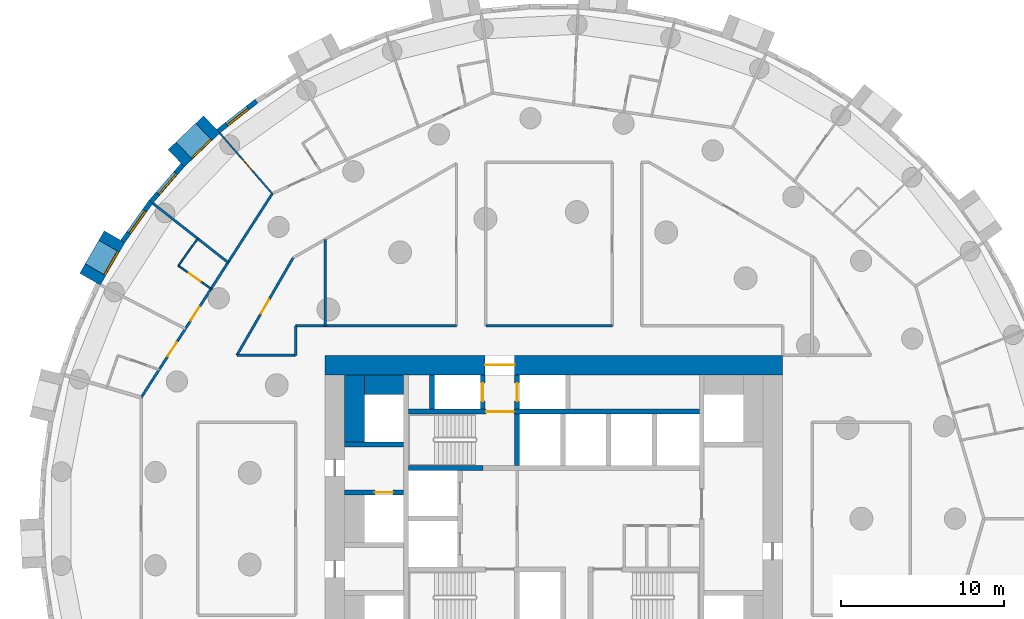
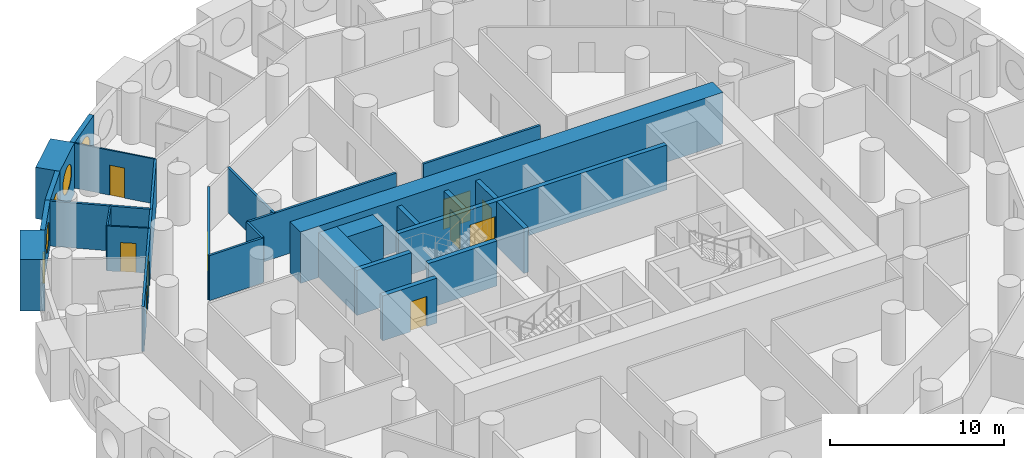
# One storey, part 7 of 12: 27 walls, 10 doors, 5 windows, 15 openings.
"""IFC4 building model written with IfcOpenShell, lengths in metres."""

from ifc_helpers import new_model, si_unit, direction, frame, frame_2d, origin, origin_2d, place, context, subcontext, project, spatial, rectangle, circle, extrude, material, layer, layer_set, type_object, element, fill, save


model = new_model("IFC4")

# Units and contexts
model_context = context("Model", 3, precision=1e-05, world=origin(), true_north=direction((0.0, 1.0)))
body_context = subcontext(model_context, "Body", "Model", "MODEL_VIEW")
ifc_project = project(units=[si_unit("LENGTHUNIT", "METRE"), si_unit("AREAUNIT", "SQUARE_METRE"), si_unit("VOLUMEUNIT", "CUBIC_METRE"), si_unit("PLANEANGLEUNIT", "RADIAN"), si_unit("MASSUNIT", "GRAM", prefix="KILO")], contexts=[model_context])

# Site, building, storey
site_placement = place(None, origin())
site = spatial("IfcSite", under=ifc_project, at=site_placement, CompositionType="ELEMENT")
building_placement = place(site_placement, origin())
building = spatial("IfcBuilding", under=site, at=building_placement, Name="Tracery Tower", CompositionType="ELEMENT")
storey_placement = place(building_placement, frame((0.0, 0.0, 89.39990234375)))
storey = spatial("IfcBuildingStorey", under=building, at=storey_placement, Name="L22", CompositionType="ELEMENT", Elevation=89.39990234375)

# Walls
ifc_material_1 = material(Name="Concrete C60/75", Category="concrete")
ifc_layer_1 = layer(ifc_material_1, 1.199951171875)
ifc_layer_set_1 = layer_set([ifc_layer_1], Name="Core strip wall 1200 C60")
wall_type_1 = type_object("IfcWallType", Name="Core strip wall 1200 C60", PredefinedType="SOLIDWALL", material=ifc_layer_set_1)
wall_1_placement = place(storey_placement, frame((-12.199951171875, 4.699951171875, 0.0), z_axis=(0.0, 0.0, 1.0), x_axis=(0.0, 1.0, 0.0)))
element("IfcWall", 1, at=wall_1_placement, inside=storey, type_object=wall_type_1, Name="L22 wing strip -1 4.55", PredefinedType="SOLIDWALL", context=body_context, shape_type="SweptSolid", body=[
    extrude(rectangle(XDim=4.10009765625, YDim=1.199951171875, at=frame_2d((2.050048828125, 0.0))), origin(), (0.0, 0.0, 1.0), 3.150146484375),
])
wall_2_placement = place(storey_placement, frame((-11.60009765625, 8.199951171875, 0.0), z_axis=(0.0, 0.0, 1.0), x_axis=(1.0, 0.0, 0.0)))
element("IfcWall", 2, at=wall_2_placement, inside=storey, type_object=wall_type_1, Name="L22 wing corner -1 +8.2", PredefinedType="SOLIDWALL", context=body_context, shape_type="SweptSolid", body=[
    extrude(rectangle(XDim=2.400146484375, YDim=1.199951171875, at=frame_2d((1.2001953125, 0.0))), origin(), (0.0, 0.0, 1.0), 3.150146484375),
])

# Wall, opening, door
ifc_material_2 = material(Name="Concrete C60/75", Category="concrete")
ifc_layer_2 = layer(ifc_material_2, 1.199951171875)
ifc_layer_set_2 = layer_set([ifc_layer_2], Name="Core wall 1200 C60")
wall_type_2 = type_object("IfcWallType", Name="Core wall 1200 C60", PredefinedType="SOLIDWALL", material=ifc_layer_set_2)
wall_3_placement = place(storey_placement, frame((-14.0, 9.39990234375, 0.0), z_axis=(0.0, 0.0, 1.0), x_axis=(1.0, 0.0, 0.0)))
wall_3 = element("IfcWall", 3, at=wall_3_placement, inside=storey, type_object=wall_type_2, Name="L22 outer N", PredefinedType="SOLIDWALL", context=body_context, shape_type="SweptSolid", body=[
    extrude(rectangle(XDim=28.0, YDim=1.199951171875, at=frame_2d((14.0, 0.0))), origin(), (0.0, 0.0, 1.0), 3.60009765625),
])
opening_1_placement = place(wall_3_placement, frame((9.800048828125, 0.0, 0.0)))
opening_1 = element("IfcOpeningElement", 4, at=opening_1_placement, cuts=wall_3, Name="Opening KD13", PredefinedType="OPENING", context=body_context, shape_type="SweptSolid", body=[
    extrude(rectangle(XDim=1.800048828125, YDim=2.10009765625, at=frame_2d((0.89990234375, 1.050048828125))), frame((0.0, 0.60009765625, 0.0), z_axis=(0.0, -1.0, 0.0), x_axis=(1.0, 0.0, 0.0)), (0.0, 0.0, 1.0), 1.199951171875),
])
ifc_material_3 = material(Name="Steel fire door", Category="steel")
door_type_1 = type_object("IfcDoorType", Name="Core exit door 1800 double", OperationType="NOTDEFINED", PredefinedType="DOOR", material=ifc_material_3)
door_1_placement = place(opening_1_placement, origin())
door_1 = element("IfcDoor", 5, at=door_1_placement, inside=storey, type_object=door_type_1, Name="Core exit door", OperationType="DOUBLE_DOOR_SINGLE_SWING", OverallHeight=2.10009765625, OverallWidth=1.800048828125, PredefinedType="DOOR", context=body_context, shape_type="SweptSolid", body=[
    extrude(rectangle(XDim=1.800048828125, YDim=2.10009765625, at=frame_2d((0.89990234375, 1.050048828125))), frame((0.0, 0.02490234375, 0.0), z_axis=(0.0, -1.0, 0.0), x_axis=(1.0, 0.0, 0.0)), (0.0, 0.0, 1.0), 0.050048828125),
])
fill(opening_1, door_1)

# Wall, opening, window
ifc_material_4 = material(Name="Precast concrete C50/60", Category="concrete")
ifc_layer_3 = layer(ifc_material_4, 1.449951171875)
ifc_layer_set_3 = layer_set([ifc_layer_3], Name="Deep-set bay unit 3000 x 3600, slab edge 450")
wall_type_3 = type_object("IfcWallType", Name="Deep-set bay unit 3000 x 3600, slab edge 450", PredefinedType="ELEMENTEDWALL", material=ifc_layer_set_3)
wall_4_placement = place(storey_placement, frame((-20.9375, 24.13232421875, -0.449951171875), z_axis=(0.0, 0.0, 1.0), x_axis=(-0.723712023899, -0.690102098579, 0.0)))
wall_4 = element("IfcWall", 6, at=wall_4_placement, inside=storey, type_object=wall_type_3, Name="Deep-set bay unit 25 at L22", PredefinedType="ELEMENTEDWALL", context=body_context, shape_type="SweptSolid", body=[
    extrude(rectangle(XDim=3.0, YDim=1.449951171875, at=frame_2d((1.5, 0.0))), origin(), (0.0, 0.0, 1.0), 3.60009765625),
])
opening_2_placement = place(wall_4_placement, frame((1.5, 0.0, 2.0)))
opening_2 = element("IfcOpeningElement", 7, at=opening_2_placement, cuts=wall_4, Name="Opening WN1", PredefinedType="OPENING", context=body_context, shape_type="SweptSolid", body=[
    extrude(circle(Radius=0.9000244140625, at=origin_2d()), frame((0.0, 0.73486328125, 0.0), z_axis=(0.0, -1.0, 0.0), x_axis=(1.0, 0.0, 0.0)), (0.0, 0.0, 1.0), 1.469970703125),
])
ifc_material_5 = material(Name="Aluminium frame with tinted double glazing", Category="aluminium")
window_type = type_object("IfcWindowType", Name="Round window 1800", PartitioningType="SINGLE_PANEL", PredefinedType="WINDOW", material=ifc_material_5)
window_1_placement = place(opening_2_placement, origin())
window_1 = element("IfcWindow", 8, at=window_1_placement, inside=storey, type_object=window_type, Name="Round window 25 at L22", OverallHeight=1.800048828125, OverallWidth=1.800048828125, PartitioningType="SINGLE_PANEL", PredefinedType="WINDOW", context=body_context, shape_type="SweptSolid", body=[
    extrude(circle(Radius=0.9000244140625, at=origin_2d()), frame((0.0, 0.69482421875, 0.0), z_axis=(0.0, -1.0, 0.0), x_axis=(1.0, 0.0, 0.0)), (0.0, 0.0, 1.0), 0.10009765625),
])
fill(opening_2, window_1)

wall_5_placement = place(storey_placement, frame((-26.88818359375, 17.256103515625, -0.449951171875), z_axis=(0.0, 0.0, 1.0), x_axis=(-0.499990139034, -0.866031096941, 0.0)))
wall_5 = element("IfcWall", 9, at=wall_5_placement, inside=storey, type_object=wall_type_3, Name="Deep-set bay unit 28 at L22", PredefinedType="ELEMENTEDWALL", context=body_context, shape_type="SweptSolid", body=[
    extrude(rectangle(XDim=3.0, YDim=1.449951171875, at=frame_2d((1.5, 0.0))), origin(), (0.0, 0.0, 1.0), 3.60009765625),
])
opening_3_placement = place(wall_5_placement, frame((1.5, 0.0, 2.0)))
opening_3 = element("IfcOpeningElement", 10, at=opening_3_placement, cuts=wall_5, Name="Opening WN1", PredefinedType="OPENING", context=body_context, shape_type="SweptSolid", body=[
    extrude(circle(Radius=0.9000244140625, at=origin_2d()), frame((0.0, 0.73486328125, 0.0), z_axis=(0.0, -1.0, 0.0), x_axis=(1.0, 0.0, 0.0)), (0.0, 0.0, 1.0), 1.469970703125),
])
window_2_placement = place(opening_3_placement, origin())
window_2 = element("IfcWindow", 11, at=window_2_placement, inside=storey, type_object=window_type, Name="Round window 28 at L22", OverallHeight=1.800048828125, OverallWidth=1.800048828125, PartitioningType="SINGLE_PANEL", PredefinedType="WINDOW", context=body_context, shape_type="SweptSolid", body=[
    extrude(circle(Radius=0.9000244140625, at=origin_2d()), frame((0.0, 0.69482421875, 0.0), z_axis=(0.0, -1.0, 0.0), x_axis=(1.0, 0.0, 0.0)), (0.0, 0.0, 1.0), 0.10009765625),
])
fill(opening_3, window_2)

ifc_material_6 = material(Name="Precast concrete C50/60", Category="concrete")
ifc_layer_4 = layer(ifc_material_6, 0.300048828125)
ifc_layer_set_4 = layer_set([ifc_layer_4], Name="Facade panel 3000 x 3150")
wall_type_4 = type_object("IfcWallType", Name="Facade panel 3000 x 3150", PredefinedType="SOLIDWALL", material=ifc_layer_set_4)
wall_6_placement = place(storey_placement, frame((-18.198974609375, 25.556884765625, 0.0), z_axis=(0.0, 0.0, 1.0), x_axis=(-0.786053834673, -0.618158045322, 0.0)))
wall_6 = element("IfcWall", 12, at=wall_6_placement, inside=storey, type_object=wall_type_4, Name="Facade panel 24 at L22", PredefinedType="SOLIDWALL", context=body_context, shape_type="SweptSolid", body=[
    extrude(rectangle(XDim=2.9794921875, YDim=0.300048828125, at=frame_2d((1.48974609375, 0.0))), origin(), (0.0, 0.0, 1.0), 3.150146484375),
])
opening_4_placement = place(wall_6_placement, frame((1.48974609375, 0.0, 1.5498046875)))
opening_4 = element("IfcOpeningElement", 13, at=opening_4_placement, cuts=wall_6, Name="Opening WN1", PredefinedType="OPENING", context=body_context, shape_type="SweptSolid", body=[
    extrude(circle(Radius=0.9000244140625, at=origin_2d()), frame((0.0, 0.159912109375, 0.0), z_axis=(0.0, -1.0, 0.0), x_axis=(1.0, 0.0, 0.0)), (0.0, 0.0, 1.0), 0.320068359375),
])
window_3_placement = place(opening_4_placement, origin())
window_3 = element("IfcWindow", 14, at=window_3_placement, inside=storey, type_object=window_type, Name="Round window 24 at L22", OverallHeight=1.800048828125, OverallWidth=1.800048828125, PartitioningType="SINGLE_PANEL", PredefinedType="WINDOW", context=body_context, shape_type="SweptSolid", body=[
    extrude(circle(Radius=0.9000244140625, at=origin_2d()), frame((0.0, 0.1201171875, 0.0), z_axis=(0.0, -1.0, 0.0), x_axis=(1.0, 0.0, 0.0)), (0.0, 0.0, 1.0), 0.10009765625),
])
fill(opening_4, window_3)

wall_7_placement = place(storey_placement, frame((-22.710693359375, 21.646240234375, 0.0), z_axis=(0.0, 0.0, 1.0), x_axis=(-0.654830712471, -0.755775587066, 0.0)))
wall_7 = element("IfcWall", 15, at=wall_7_placement, inside=storey, type_object=wall_type_4, Name="Facade panel 26 at L22", PredefinedType="SOLIDWALL", context=body_context, shape_type="SweptSolid", body=[
    extrude(rectangle(XDim=2.979736328125, YDim=0.300048828125, at=frame_2d((1.48974609375, 0.0))), origin(), (0.0, 0.0, 1.0), 3.150146484375),
])
opening_5_placement = place(wall_7_placement, frame((1.48974609375, 0.0, 1.5498046875)))
opening_5 = element("IfcOpeningElement", 16, at=opening_5_placement, cuts=wall_7, Name="Opening WN1", PredefinedType="OPENING", context=body_context, shape_type="SweptSolid", body=[
    extrude(circle(Radius=0.9000244140625, at=origin_2d()), frame((0.0, 0.159912109375, 0.0), z_axis=(0.0, -1.0, 0.0), x_axis=(1.0, 0.0, 0.0)), (0.0, 0.0, 1.0), 0.320068359375),
])
window_4_placement = place(opening_5_placement, origin())
window_4 = element("IfcWindow", 17, at=window_4_placement, inside=storey, type_object=window_type, Name="Round window 26 at L22", OverallHeight=1.800048828125, OverallWidth=1.800048828125, PartitioningType="SINGLE_PANEL", PredefinedType="WINDOW", context=body_context, shape_type="SweptSolid", body=[
    extrude(circle(Radius=0.9000244140625, at=origin_2d()), frame((0.0, 0.1201171875, 0.0), z_axis=(0.0, -1.0, 0.0), x_axis=(1.0, 0.0, 0.0)), (0.0, 0.0, 1.0), 0.10009765625),
])
fill(opening_5, window_4)

wall_8_placement = place(storey_placement, frame((-24.661865234375, 19.394287109375, 0.0), z_axis=(0.0, 0.0, 1.0), x_axis=(-0.580113774115, -0.814535456, 0.0)))
wall_8 = element("IfcWall", 18, at=wall_8_placement, inside=storey, type_object=wall_type_4, Name="Facade panel 27 at L22", PredefinedType="SOLIDWALL", context=body_context, shape_type="SweptSolid", body=[
    extrude(rectangle(XDim=2.979736328125, YDim=0.300048828125, at=frame_2d((1.48974609375, 0.0))), origin(), (0.0, 0.0, 1.0), 3.150146484375),
])
opening_6_placement = place(wall_8_placement, frame((1.48974609375, 0.0, 1.5498046875)))
opening_6 = element("IfcOpeningElement", 19, at=opening_6_placement, cuts=wall_8, Name="Opening WN1", PredefinedType="OPENING", context=body_context, shape_type="SweptSolid", body=[
    extrude(circle(Radius=0.9000244140625, at=origin_2d()), frame((0.0, 0.159912109375, 0.0), z_axis=(0.0, -1.0, 0.0), x_axis=(1.0, 0.0, 0.0)), (0.0, 0.0, 1.0), 0.320068359375),
])
window_5_placement = place(opening_6_placement, origin())
window_5 = element("IfcWindow", 20, at=window_5_placement, inside=storey, type_object=window_type, Name="Round window 27 at L22", OverallHeight=1.800048828125, OverallWidth=1.800048828125, PartitioningType="SINGLE_PANEL", PredefinedType="WINDOW", context=body_context, shape_type="SweptSolid", body=[
    extrude(circle(Radius=0.9000244140625, at=origin_2d()), frame((0.0, 0.1201171875, 0.0), z_axis=(0.0, -1.0, 0.0), x_axis=(1.0, 0.0, 0.0)), (0.0, 0.0, 1.0), 0.10009765625),
])
fill(opening_6, window_5)

# Wall, opening, door
ifc_material_7 = material(Name="Plasterboard on steel studs", Category="steel")
ifc_layer_5 = layer(ifc_material_7, 0.10009765625)
ifc_layer_set_5 = layer_set([ifc_layer_5], Name="Partition 100 stud")
wall_type_5 = type_object("IfcWallType", Name="Partition 100 stud", PredefinedType="PARTITIONING", material=ifc_layer_set_5)
wall_9_placement = place(storey_placement, frame((-20.447998046875, 23.597900390625, 0.0), z_axis=(0.0, 0.0, 1.0), x_axis=(0.654847179409, -0.755761319214, 0.0)))
wall_9 = element("IfcWall", 21, at=wall_9_placement, inside=storey, type_object=wall_type_5, Name="Stud partition RA6-081", PredefinedType="PARTITIONING", context=body_context, shape_type="SweptSolid", body=[
    extrude(rectangle(XDim=4.90625, YDim=0.10009765625, at=frame_2d((2.453125, 0.0))), origin(), (0.0, 0.0, 1.0), 3.150146484375),
])
opening_7_placement = place(wall_9_placement, frame((2.1533203125, 0.0, 0.0)))
opening_7 = element("IfcOpeningElement", 22, at=opening_7_placement, cuts=wall_9, Name="Opening RA6-28", PredefinedType="OPENING", context=body_context, shape_type="SweptSolid", body=[
    extrude(rectangle(XDim=0.89990234375, YDim=2.10009765625, at=frame_2d((0.449951171875, 1.050048828125))), frame((0.0, 0.050048828125, 0.0), z_axis=(0.0, -1.0, 0.0), x_axis=(1.0, 0.0, 0.0)), (0.0, 0.0, 1.0), 0.10009765625),
])
ifc_material_8 = material(Name="Timber door leaf", Category="wood")
door_type_2 = type_object("IfcDoorType", Name="Door bedroom 900", OperationType="NOTDEFINED", PredefinedType="DOOR", material=ifc_material_8)
door_2_placement = place(opening_7_placement, origin())
door_2 = element("IfcDoor", 23, at=door_2_placement, inside=storey, type_object=door_type_2, Name="Bedroom door RA6-28", OperationType="SINGLE_SWING_LEFT", OverallHeight=2.10009765625, OverallWidth=0.89990234375, PredefinedType="DOOR", context=body_context, shape_type="SweptSolid", body=[
    extrude(rectangle(XDim=0.89990234375, YDim=2.10009765625, at=frame_2d((0.449951171875, 1.050048828125))), frame((0.0, 0.02490234375, 0.0), z_axis=(0.0, -1.0, 0.0), x_axis=(1.0, 0.0, 0.0)), (0.0, 0.0, 1.0), 0.050048828125),
])
fill(opening_7, door_2)

# Wall
ifc_material_9 = material(Name="Plasterboard on steel studs", Category="steel")
ifc_layer_6 = layer(ifc_material_9, 0.10009765625)
ifc_layer_set_6 = layer_set([ifc_layer_6], Name="Partition 100 wet wall")
wall_type_6 = type_object("IfcWallType", Name="Partition 100 wet wall", PredefinedType="PARTITIONING", material=ifc_layer_set_6)
wall_10_placement = place(storey_placement, frame((-22.97802734375, 15.486083984375, 0.0), z_axis=(0.0, 0.0, 1.0), x_axis=(0.580283748447, 0.814414373208, 0.0)))
element("IfcWall", 24, at=wall_10_placement, inside=storey, type_object=wall_type_6, Name="Wet wall RA6-085", PredefinedType="PARTITIONING", context=body_context, shape_type="SweptSolid", body=[
    extrude(rectangle(XDim=2.033447265625, YDim=0.10009765625, at=frame_2d((1.0166015625, 0.0))), origin(), (0.0, 0.0, 1.0), 3.150146484375),
])

# Wall, opening, door
wall_11_placement = place(storey_placement, frame((-22.97802734375, 15.486083984375, 0.0), z_axis=(0.0, 0.0, 1.0), x_axis=(0.814519517834, -0.580136152181, 0.0)))
wall_11 = element("IfcWall", 25, at=wall_11_placement, inside=storey, type_object=wall_type_6, Name="Wet wall RA6-086", PredefinedType="PARTITIONING", context=body_context, shape_type="SweptSolid", body=[
    extrude(rectangle(XDim=2.453125, YDim=0.10009765625, at=frame_2d((1.2265625, 0.0))), origin(), (0.0, 0.0, 1.0), 3.150146484375),
])
opening_8_placement = place(wall_11_placement, frame((0.77587890625, 0.0, 0.0)))
opening_8 = element("IfcOpeningElement", 26, at=opening_8_placement, cuts=wall_11, Name="Opening RA6-31", PredefinedType="OPENING", context=body_context, shape_type="SweptSolid", body=[
    extrude(rectangle(XDim=0.89990234375, YDim=2.0400390625, at=frame_2d((0.449951171875, 1.02001953125))), frame((0.0, 0.050048828125, 0.0), z_axis=(0.0, -1.0, 0.0), x_axis=(1.0, 0.0, 0.0)), (0.0, 0.0, 1.0), 0.10009765625),
])
ifc_material_10 = material(Name="Timber door leaf", Category="wood")
door_type_3 = type_object("IfcDoorType", Name="Door en-suite 900", OperationType="NOTDEFINED", PredefinedType="DOOR", material=ifc_material_10)
door_3_placement = place(opening_8_placement, origin())
door_3 = element("IfcDoor", 27, at=door_3_placement, inside=storey, type_object=door_type_3, Name="En-suite door RA6-31", OperationType="SINGLE_SWING_LEFT", OverallHeight=2.0400390625, OverallWidth=0.89990234375, PredefinedType="DOOR", context=body_context, shape_type="SweptSolid", body=[
    extrude(rectangle(XDim=0.89990234375, YDim=2.0400390625, at=frame_2d((0.449951171875, 1.02001953125))), frame((0.0, 0.02490234375, 0.0), z_axis=(0.0, -1.0, 0.0), x_axis=(1.0, 0.0, 0.0)), (0.0, 0.0, 1.0), 0.050048828125),
])
fill(opening_8, door_3)

# Walls
ifc_material_11 = material(Name="Plasterboard on steel studs", Category="steel")
ifc_layer_7 = layer(ifc_material_11, 0.14990234375)
ifc_layer_set_7 = layer_set([ifc_layer_7], Name="Partition 150 acoustic unit wall")
wall_type_7 = type_object("IfcWallType", Name="Partition 150 acoustic unit wall", PredefinedType="PARTITIONING", material=ifc_layer_set_7)
wall_12_placement = place(storey_placement, frame((-14.0, 11.800048828125, 0.0), z_axis=(0.0, 0.0, 1.0), x_axis=(0.0, 1.0, 0.0)))
element("IfcWall", 28, at=wall_12_placement, inside=storey, type_object=wall_type_7, Name="Unit wall RA6-054", PredefinedType="PARTITIONING", context=body_context, shape_type="SweptSolid", body=[
    extrude(rectangle(XDim=5.2919921875, YDim=0.14990234375, at=frame_2d((2.64599609375, 0.0))), origin(), (0.0, 0.0, 1.0), 3.150146484375),
])
wall_13_placement = place(storey_placement, frame((-24.5439453125, 19.302001953125, 0.0), z_axis=(0.0, 0.0, 1.0), x_axis=(0.786034767432, -0.618182290581, 0.0)))
element("IfcWall", 29, at=wall_13_placement, inside=storey, type_object=wall_type_7, Name="Unit wall RA6-084", PredefinedType="PARTITIONING", context=body_context, shape_type="SweptSolid", body=[
    extrude(rectangle(XDim=5.857177734375, YDim=0.14990234375, at=frame_2d((2.9287109375, 0.0))), origin(), (0.0, 0.0, 1.0), 3.150146484375),
])
ifc_material_12 = material(Name="Plasterboard on steel studs", Category="steel")
ifc_layer_8 = layer(ifc_material_12, 0.14990234375)
ifc_layer_set_8 = layer_set([ifc_layer_8], Name="Partition 150 corridor wall")
wall_type_8 = type_object("IfcWallType", Name="Partition 150 corridor wall", PredefinedType="PARTITIONING", material=ifc_layer_set_8)
wall_14_placement = place(storey_placement, frame((-15.800048828125, 11.800048828125, 0.0), z_axis=(0.0, 0.0, 1.0), x_axis=(1.0, 0.0, 0.0)))
element("IfcWall", 30, at=wall_14_placement, inside=storey, type_object=wall_type_8, Name="Corridor wall RA6-001", PredefinedType="PARTITIONING", context=body_context, shape_type="SweptSolid", body=[
    extrude(rectangle(XDim=9.843994140625, YDim=0.14990234375, at=frame_2d((4.921875, 0.0))), origin(), (0.0, 0.0, 1.0), 3.150146484375),
])
wall_15_placement = place(storey_placement, frame((-4.1640625, 11.800048828125, 0.0), z_axis=(0.0, 0.0, 1.0), x_axis=(1.0, 0.0, 0.0)))
element("IfcWall", 31, at=wall_15_placement, inside=storey, type_object=wall_type_8, Name="Corridor wall RA6-002", PredefinedType="PARTITIONING", context=body_context, shape_type="SweptSolid", body=[
    extrude(rectangle(XDim=7.744140625, YDim=0.14990234375, at=frame_2d((3.8720703125, 0.0))), origin(), (0.0, 0.0, 1.0), 3.150146484375),
])
wall_16_placement = place(storey_placement, frame((-15.800048828125, 10.0, 0.0), z_axis=(0.0, 0.0, 1.0), x_axis=(0.0, 1.0, 0.0)))
element("IfcWall", 32, at=wall_16_placement, inside=storey, type_object=wall_type_8, Name="Corridor wall RA6-005", PredefinedType="PARTITIONING", context=body_context, shape_type="SweptSolid", body=[
    extrude(rectangle(XDim=1.800048828125, YDim=0.14990234375, at=frame_2d((0.89990234375, 0.0))), origin(), (0.0, 0.0, 1.0), 3.150146484375),
])

# Wall, openings, doors
wall_17_placement = place(storey_placement, frame((-25.2548828125, 7.416259765625, 0.0), z_axis=(0.0, 0.0, 1.0), x_axis=(0.540805851332, 0.841147449123, 0.0)))
wall_17 = element("IfcWall", 33, at=wall_17_placement, inside=storey, type_object=wall_type_8, Name="Corridor wall RA6-034", PredefinedType="PARTITIONING", context=body_context, shape_type="SweptSolid", body=[
    extrude(rectangle(XDim=14.829345703125, YDim=0.14990234375, at=frame_2d((7.41455078125, 0.0))), origin(), (0.0, 0.0, 1.0), 3.150146484375),
])
opening_9_placement = place(wall_17_placement, frame((5.602783203125, 0.0, 0.0)))
opening_9 = element("IfcOpeningElement", 34, at=opening_9_placement, cuts=wall_17, Name="Opening RA6-32", PredefinedType="OPENING", context=body_context, shape_type="SweptSolid", body=[
    extrude(rectangle(XDim=1.0, YDim=2.10009765625, at=frame_2d((0.5, 1.050048828125))), frame((0.0, 0.074951171875, 0.0), z_axis=(0.0, -1.0, 0.0), x_axis=(1.0, 0.0, 0.0)), (0.0, 0.0, 1.0), 0.14990234375),
])
opening_10_placement = place(wall_17_placement, frame((3.0126953125, 0.0, 0.0)))
opening_10 = element("IfcOpeningElement", 35, at=opening_10_placement, cuts=wall_17, Name="Opening RA6-34", PredefinedType="OPENING", context=body_context, shape_type="SweptSolid", body=[
    extrude(rectangle(XDim=1.0, YDim=2.10009765625, at=frame_2d((0.5, 1.050048828125))), frame((0.0, 0.074951171875, 0.0), z_axis=(0.0, -1.0, 0.0), x_axis=(1.0, 0.0, 0.0)), (0.0, 0.0, 1.0), 0.14990234375),
])
ifc_material_13 = material(Name="Timber door leaf", Category="wood")
door_type_4 = type_object("IfcDoorType", Name="Door unit entrance 1000", OperationType="NOTDEFINED", PredefinedType="DOOR", material=ifc_material_13)
door_4_placement = place(opening_9_placement, origin())
door_4 = element("IfcDoor", 36, at=door_4_placement, inside=storey, type_object=door_type_4, Name="Unit entrance door RA6-32", OperationType="SINGLE_SWING_LEFT", OverallHeight=2.10009765625, OverallWidth=1.0, PredefinedType="DOOR", context=body_context, shape_type="SweptSolid", body=[
    extrude(rectangle(XDim=1.0, YDim=2.10009765625, at=frame_2d((0.5, 1.050048828125))), frame((0.0, 0.02490234375, 0.0), z_axis=(0.0, -1.0, 0.0), x_axis=(1.0, 0.0, 0.0)), (0.0, 0.0, 1.0), 0.050048828125),
])
fill(opening_9, door_4)
door_5_placement = place(opening_10_placement, origin())
door_5 = element("IfcDoor", 37, at=door_5_placement, inside=storey, type_object=door_type_4, Name="Unit entrance door RA6-34", OperationType="SINGLE_SWING_LEFT", OverallHeight=2.10009765625, OverallWidth=1.0, PredefinedType="DOOR", context=body_context, shape_type="SweptSolid", body=[
    extrude(rectangle(XDim=1.0, YDim=2.10009765625, at=frame_2d((0.5, 1.050048828125))), frame((0.0, 0.02490234375, 0.0), z_axis=(0.0, -1.0, 0.0), x_axis=(1.0, 0.0, 0.0)), (0.0, 0.0, 1.0), 0.050048828125),
])
fill(opening_10, door_5)

# Wall, opening, door
wall_18_placement = place(storey_placement, frame((-19.40087890625, 10.0, 0.0), z_axis=(0.0, 0.0, 1.0), x_axis=(0.499992689227, 0.86602962462, 0.0)))
wall_18 = element("IfcWall", 38, at=wall_18_placement, inside=storey, type_object=wall_type_8, Name="Corridor wall RA6-040", PredefinedType="PARTITIONING", context=body_context, shape_type="SweptSolid", body=[
    extrude(rectangle(XDim=6.8818359375, YDim=0.14990234375, at=frame_2d((3.44091796875, 0.0))), origin(), (0.0, 0.0, 1.0), 3.150146484375),
])
opening_11_placement = place(wall_18_placement, frame((2.94091796875, 0.0, 0.0)))
opening_11 = element("IfcOpeningElement", 39, at=opening_11_placement, cuts=wall_18, Name="Opening RA6-11", PredefinedType="OPENING", context=body_context, shape_type="SweptSolid", body=[
    extrude(rectangle(XDim=1.0, YDim=2.0400390625, at=frame_2d((0.5, 1.02001953125))), frame((0.0, 0.074951171875, 0.0), z_axis=(0.0, -1.0, 0.0), x_axis=(1.0, 0.0, 0.0)), (0.0, 0.0, 1.0), 0.14990234375),
])
ifc_material_14 = material(Name="Timber door leaf", Category="wood")
door_type_5 = type_object("IfcDoorType", Name="Door communal room 1000", OperationType="NOTDEFINED", PredefinedType="DOOR", material=ifc_material_14)
door_6_placement = place(opening_11_placement, origin())
door_6 = element("IfcDoor", 40, at=door_6_placement, inside=storey, type_object=door_type_5, Name="Communal room door RA6-11", OperationType="SINGLE_SWING_LEFT", OverallHeight=2.0400390625, OverallWidth=1.0, PredefinedType="DOOR", context=body_context, shape_type="SweptSolid", body=[
    extrude(rectangle(XDim=1.0, YDim=2.0400390625, at=frame_2d((0.5, 1.02001953125))), frame((0.0, 0.02490234375, 0.0), z_axis=(0.0, -1.0, 0.0), x_axis=(1.0, 0.0, 0.0)), (0.0, 0.0, 1.0), 0.050048828125),
])
fill(opening_11, door_6)

# Walls
wall_19_placement = place(storey_placement, frame((-19.40087890625, 10.0, 0.0), z_axis=(0.0, 0.0, 1.0), x_axis=(1.0, 0.0, 0.0)))
element("IfcWall", 41, at=wall_19_placement, inside=storey, type_object=wall_type_8, Name="Corridor wall RA6-041", PredefinedType="PARTITIONING", context=body_context, shape_type="SweptSolid", body=[
    extrude(rectangle(XDim=3.600830078125, YDim=0.14990234375, at=frame_2d((1.80029296875, 0.0))), origin(), (0.0, 0.0, 1.0), 3.150146484375),
])
ifc_material_15 = material(Name="Concrete C60/75", Category="concrete")
ifc_layer_9 = layer(ifc_material_15, 0.300048828125)
ifc_layer_set_9 = layer_set([ifc_layer_9], Name="Shaft wall 300 C60")
wall_type_9 = type_object("IfcWallType", Name="Shaft wall 300 C60", PredefinedType="SOLIDWALL", material=ifc_layer_set_9)
wall_20_placement = place(storey_placement, frame((-7.449951171875, 6.699951171875, 0.0), z_axis=(0.0, 0.0, 1.0), x_axis=(0.0, 1.0, 0.0)))
element("IfcWall", 42, at=wall_20_placement, inside=storey, type_object=wall_type_9, Name="L22 LR sep -7.45", PredefinedType="SOLIDWALL", context=body_context, shape_type="SweptSolid", body=[
    extrude(rectangle(XDim=2.10009765625, YDim=0.300048828125, at=frame_2d((1.050048828125, 0.0))), origin(), (0.0, 0.0, 1.0), 3.150146484375),
])

# Wall, opening, door
wall_21_placement = place(storey_placement, frame((-4.35009765625, 6.699951171875, 0.0), z_axis=(0.0, 0.0, 1.0), x_axis=(0.0, 1.0, 0.0)))
wall_21 = element("IfcWall", 43, at=wall_21_placement, inside=storey, type_object=wall_type_9, Name="L22 LR sep -4.35", PredefinedType="SOLIDWALL", context=body_context, shape_type="SweptSolid", body=[
    extrude(rectangle(XDim=2.10009765625, YDim=0.300048828125, at=frame_2d((1.050048828125, 0.0))), origin(), (0.0, 0.0, 1.0), 3.150146484375),
])
opening_12_placement = place(wall_21_placement, frame((0.5, 0.0, 0.0)))
opening_12 = element("IfcOpeningElement", 44, at=opening_12_placement, cuts=wall_21, Name="Opening KD50", PredefinedType="OPENING", context=body_context, shape_type="SweptSolid", body=[
    extrude(rectangle(XDim=1.10009765625, YDim=2.10009765625, at=frame_2d((0.550048828125, 1.050048828125))), frame((0.0, 0.14990234375, 0.0), z_axis=(0.0, -1.0, 0.0), x_axis=(1.0, 0.0, 0.0)), (0.0, 0.0, 1.0), 0.300048828125),
])
ifc_material_16 = material(Name="Steel fire door", Category="steel")
door_type_6 = type_object("IfcDoorType", Name="Landing door 1100", OperationType="NOTDEFINED", PredefinedType="DOOR", material=ifc_material_16)
door_7_placement = place(opening_12_placement, origin())
door_7 = element("IfcDoor", 45, at=door_7_placement, inside=storey, type_object=door_type_6, Name="Landing door LR3", OperationType="SLIDING_TO_RIGHT", OverallHeight=2.10009765625, OverallWidth=1.10009765625, PredefinedType="DOOR", context=body_context, shape_type="SweptSolid", body=[
    extrude(rectangle(XDim=1.10009765625, YDim=2.10009765625, at=frame_2d((0.550048828125, 1.050048828125))), frame((0.0, 0.02490234375, 0.0), z_axis=(0.0, -1.0, 0.0), x_axis=(1.0, 0.0, 0.0)), (0.0, 0.0, 1.0), 0.050048828125),
])
fill(opening_12, door_7)

# Wall
wall_22_placement = place(storey_placement, frame((-12.800048828125, 4.550048828125, 0.0), z_axis=(0.0, 0.0, 1.0), x_axis=(1.0, 0.0, 0.0)))
element("IfcWall", 46, at=wall_22_placement, inside=storey, type_object=wall_type_9, Name="L22 wing shaft wall -1 +4.55", PredefinedType="SOLIDWALL", context=body_context, shape_type="SweptSolid", body=[
    extrude(rectangle(XDim=3.60009765625, YDim=0.300048828125, at=frame_2d((1.800048828125, 0.0))), origin(), (0.0, 0.0, 1.0), 3.150146484375),
])

# Wall, opening, door
wall_23_placement = place(storey_placement, frame((-12.800048828125, 1.60009765625, 0.0), z_axis=(0.0, 0.0, 1.0), x_axis=(1.0, 0.0, 0.0)))
wall_23 = element("IfcWall", 47, at=wall_23_placement, inside=storey, type_object=wall_type_9, Name="L22 wing shaft wall -1 +1.60", PredefinedType="SOLIDWALL", context=body_context, shape_type="SweptSolid", body=[
    extrude(rectangle(XDim=3.60009765625, YDim=0.300048828125, at=frame_2d((1.800048828125, 0.0))), origin(), (0.0, 0.0, 1.0), 3.150146484375),
])
opening_13_placement = place(wall_23_placement, frame((1.85009765625, 0.0, 0.0)))
opening_13 = element("IfcOpeningElement", 48, at=opening_13_placement, cuts=wall_23, Name="Opening KD50", PredefinedType="OPENING", context=body_context, shape_type="SweptSolid", body=[
    extrude(rectangle(XDim=1.10009765625, YDim=2.10009765625, at=frame_2d((0.550048828125, 1.050048828125))), frame((0.0, 0.14990234375, 0.0), z_axis=(0.0, -1.0, 0.0), x_axis=(1.0, 0.0, 0.0)), (0.0, 0.0, 1.0), 0.300048828125),
])
door_8_placement = place(opening_13_placement, origin())
door_8 = element("IfcDoor", 49, at=door_8_placement, inside=storey, type_object=door_type_6, Name="Landing door LR1", OperationType="SLIDING_TO_RIGHT", OverallHeight=2.10009765625, OverallWidth=1.10009765625, PredefinedType="DOOR", context=body_context, shape_type="SweptSolid", body=[
    extrude(rectangle(XDim=1.10009765625, YDim=2.10009765625, at=frame_2d((0.550048828125, 1.050048828125))), frame((0.0, 0.02490234375, 0.0), z_axis=(0.0, -1.0, 0.0), x_axis=(1.0, 0.0, 0.0)), (0.0, 0.0, 1.0), 0.050048828125),
])
fill(opening_13, door_8)

# Walls
ifc_material_17 = material(Name="Concrete C60/75", Category="concrete")
ifc_layer_10 = layer(ifc_material_17, 0.300048828125)
ifc_layer_set_10 = layer_set([ifc_layer_10], Name="Stair wall 300 C60")
wall_type_10 = type_object("IfcWallType", Name="Stair wall 300 C60", PredefinedType="SOLIDWALL", material=ifc_layer_set_10)
wall_24_placement = place(storey_placement, frame((-8.89990234375, 3.10009765625, 0.0), z_axis=(0.0, 0.0, 1.0), x_axis=(1.0, 0.0, 0.0)))
element("IfcWall", 50, at=wall_24_placement, inside=storey, type_object=wall_type_10, Name="L22 row N W", PredefinedType="SOLIDWALL", context=body_context, shape_type="SweptSolid", body=[
    extrude(rectangle(XDim=4.5498046875, YDim=0.300048828125, at=frame_2d((2.27490234375, 0.0))), origin(), (0.0, 0.0, 1.0), 3.150146484375),
])
wall_25_placement = place(storey_placement, frame((-2.25, 3.25, 0.0), z_axis=(0.0, 0.0, 1.0), x_axis=(0.0, 1.0, 0.0)))
element("IfcWall", 51, at=wall_25_placement, inside=storey, type_object=wall_type_10, Name="L22 ST3 E", PredefinedType="SOLIDWALL", context=body_context, shape_type="SweptSolid", body=[
    extrude(rectangle(XDim=3.14990234375, YDim=0.300048828125, at=frame_2d((1.574951171875, 0.0))), origin(), (0.0, 0.0, 1.0), 3.150146484375),
])

# Wall, opening, door
wall_26_placement = place(storey_placement, frame((-8.89990234375, 6.550048828125, 0.0), z_axis=(0.0, 0.0, 1.0), x_axis=(1.0, 0.0, 0.0)))
wall_26 = element("IfcWall", 52, at=wall_26_placement, inside=storey, type_object=wall_type_10, Name="L22 F N", PredefinedType="SOLIDWALL", context=body_context, shape_type="SweptSolid", body=[
    extrude(rectangle(XDim=17.7998046875, YDim=0.300048828125, at=frame_2d((8.89990234375, 0.0))), origin(), (0.0, 0.0, 1.0), 3.150146484375),
])
opening_14_placement = place(wall_26_placement, frame((4.75, 0.0, 0.0)))
opening_14 = element("IfcOpeningElement", 53, at=opening_14_placement, cuts=wall_26, Name="Opening KD3", PredefinedType="OPENING", context=body_context, shape_type="SweptSolid", body=[
    extrude(rectangle(XDim=1.699951171875, YDim=2.10009765625, at=frame_2d((0.85009765625, 1.050048828125))), frame((0.0, 0.14990234375, 0.0), z_axis=(0.0, -1.0, 0.0), x_axis=(1.0, 0.0, 0.0)), (0.0, 0.0, 1.0), 0.300048828125),
])
ifc_material_18 = material(Name="Steel fire door", Category="steel")
door_type_7 = type_object("IfcDoorType", Name="Core stair door 1700 double", OperationType="NOTDEFINED", PredefinedType="DOOR", material=ifc_material_18)
door_9_placement = place(opening_14_placement, origin())
door_9 = element("IfcDoor", 54, at=door_9_placement, inside=storey, type_object=door_type_7, Name="Stair door ST3 N", OperationType="DOUBLE_DOOR_SINGLE_SWING", OverallHeight=2.10009765625, OverallWidth=1.699951171875, PredefinedType="DOOR", context=body_context, shape_type="SweptSolid", body=[
    extrude(rectangle(XDim=1.699951171875, YDim=2.10009765625, at=frame_2d((0.85009765625, 1.050048828125))), frame((0.0, 0.02490234375, 0.0), z_axis=(0.0, -1.0, 0.0), x_axis=(1.0, 0.0, 0.0)), (0.0, 0.0, 1.0), 0.050048828125),
])
fill(opening_14, door_9)

wall_27_placement = place(storey_placement, frame((-2.25, 6.699951171875, 0.0), z_axis=(0.0, 0.0, 1.0), x_axis=(0.0, 1.0, 0.0)))
wall_27 = element("IfcWall", 55, at=wall_27_placement, inside=storey, type_object=wall_type_10, Name="L22 ST3 E out", PredefinedType="SOLIDWALL", context=body_context, shape_type="SweptSolid", body=[
    extrude(rectangle(XDim=2.10009765625, YDim=0.300048828125, at=frame_2d((1.050048828125, 0.0))), origin(), (0.0, 0.0, 1.0), 3.150146484375),
])
opening_15_placement = place(wall_27_placement, frame((0.5, 0.0, 0.0)))
opening_15 = element("IfcOpeningElement", 56, at=opening_15_placement, cuts=wall_27, Name="Opening KD49", PredefinedType="OPENING", context=body_context, shape_type="SweptSolid", body=[
    extrude(rectangle(XDim=1.10009765625, YDim=2.10009765625, at=frame_2d((0.550048828125, 1.050048828125))), frame((0.0, 0.14990234375, 0.0), z_axis=(0.0, -1.0, 0.0), x_axis=(1.0, 0.0, 0.0)), (0.0, 0.0, 1.0), 0.300048828125),
])
door_10_placement = place(opening_15_placement, origin())
door_10 = element("IfcDoor", 57, at=door_10_placement, inside=storey, type_object=door_type_6, Name="Landing door LR2", OperationType="SLIDING_TO_LEFT", OverallHeight=2.10009765625, OverallWidth=1.10009765625, PredefinedType="DOOR", context=body_context, shape_type="SweptSolid", body=[
    extrude(rectangle(XDim=1.10009765625, YDim=2.10009765625, at=frame_2d((0.550048828125, 1.050048828125))), frame((0.0, 0.02490234375, 0.0), z_axis=(0.0, -1.0, 0.0), x_axis=(1.0, 0.0, 0.0)), (0.0, 0.0, 1.0), 0.050048828125),
])
fill(opening_15, door_10)

save(model, "model.ifc")
